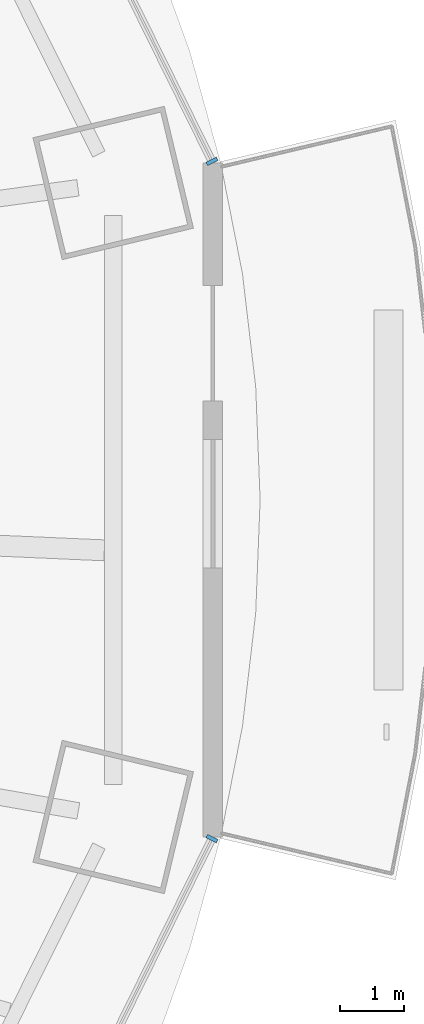
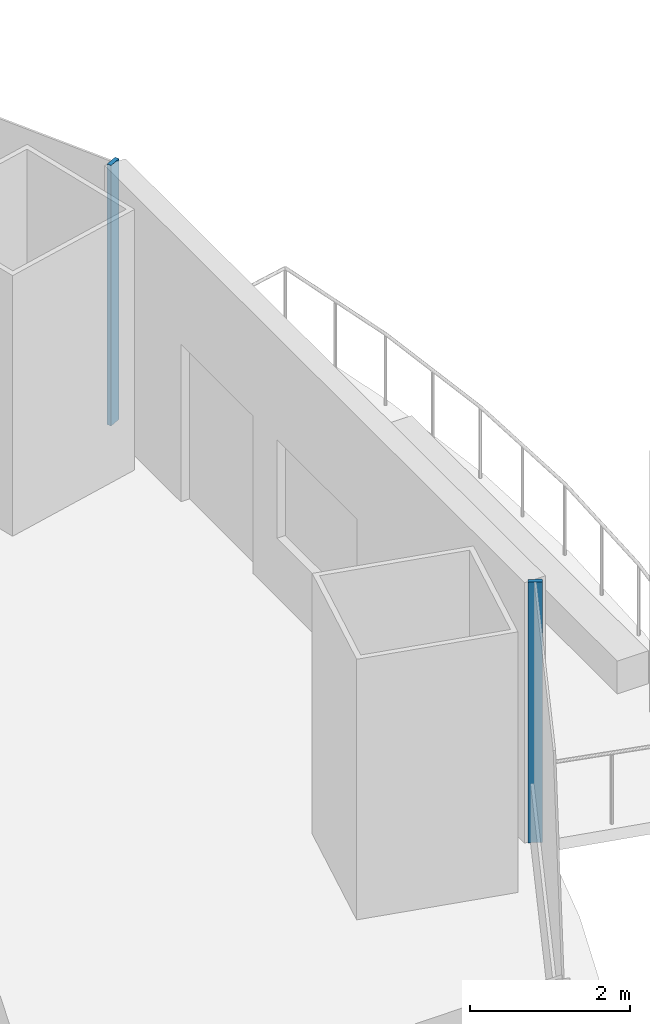
# One storey, part 9 of 20: 2 members, 2 elements without a shape of their own.
"""IFC4 building model written with IfcOpenShell, lengths in metres."""

from ifc_helpers import new_model, si_unit, direction, frame, origin, origin_2d, place, context, subcontext, project, spatial, rectangle, extrude, material, material_profile, profile_set, type_object, element, aggregate, save


model = new_model("IFC4")

# Units and contexts
model_context = context("Model", 3, precision=1e-05, world=origin(), true_north=direction((0.0, 1.0)))
body_context = subcontext(model_context, "Body", "Model", "MODEL_VIEW")
ifc_project = project(units=[si_unit("LENGTHUNIT", "METRE"), si_unit("AREAUNIT", "SQUARE_METRE"), si_unit("VOLUMEUNIT", "CUBIC_METRE"), si_unit("PLANEANGLEUNIT", "RADIAN"), si_unit("MASSUNIT", "GRAM", prefix="KILO")], contexts=[model_context])

# Site, building, storey
site_placement = place(None, origin())
site = spatial("IfcSite", under=ifc_project, at=site_placement, CompositionType="ELEMENT")
building_placement = place(site_placement, origin())
building = spatial("IfcBuilding", under=site, at=building_placement, Name="Marenthal Gate Tower", CompositionType="ELEMENT")
storey_placement = place(building_placement, frame((0.0, 0.0, 194.25)))
storey = spatial("IfcBuildingStorey", under=building, at=storey_placement, Name="L42", CompositionType="ELEMENT", Elevation=194.25)

# Curtain wall, member
ifc_material_1 = material(Name="Aluminium and glass", Category="aluminium")
curtain_wall_type = type_object("IfcCurtainWallType", Name="Curtain wall typical mid", PredefinedType="NOTDEFINED", material=ifc_material_1)
curtain_wall_1_placement = place(storey_placement, origin())
curtain_wall_1 = element("IfcCurtainWall", 1, at=curtain_wall_1_placement, inside=storey, type_object=curtain_wall_type, Name="Curtain wall L42 bay 1", PredefinedType="NOTDEFINED")
ifc_material_2 = material(Name="Aluminium", Category="aluminium")
ifc_material_profile = material_profile(ifc_material_2, rectangle(XDim=0.179931640625, YDim=0.06005859375, at=origin_2d()), Name="60x180 aluminium mullion")
ifc_profile_set = profile_set([ifc_material_profile], Name="Aluminium")
member_type = type_object("IfcMemberType", Name="Mullion 60x180 typical mid", PredefinedType="MULLION", material=ifc_profile_set)
member_1_placement = place(storey_placement, frame((33.1865234375, 4.667236328125, 0.0), z_axis=(0.0, 0.0, 1.0), x_axis=(-0.896680826174, -0.442677643406, 0.0)))
member_1 = element("IfcMember", 2, at=member_1_placement, type_object=member_type, Name="Mullion L42 bay 1.1", PredefinedType="MULLION", context=body_context, shape_type="SweptSolid", body=[
    extrude(rectangle(XDim=0.179931640625, YDim=0.06005859375, at=origin_2d()), origin(), (0.0, 0.0, 1.0), 3.969970703125),
])
aggregate(curtain_wall_1, [member_1])

curtain_wall_2_placement = place(storey_placement, origin())
curtain_wall_2 = element("IfcCurtainWall", 3, at=curtain_wall_2_placement, inside=storey, type_object=curtain_wall_type, Name="Curtain wall L42 bay 15", PredefinedType="NOTDEFINED")
member_2_placement = place(storey_placement, frame((33.1865234375, -5.8671875, 0.0), z_axis=(0.0, 0.0, 1.0), x_axis=(-0.896680826174, 0.442677643406, 0.0)))
member_2 = element("IfcMember", 4, at=member_2_placement, type_object=member_type, Name="Mullion L42 bay 15.3", PredefinedType="MULLION", context=body_context, shape_type="SweptSolid", body=[
    extrude(rectangle(XDim=0.179931640625, YDim=0.06005859375, at=origin_2d()), origin(), (0.0, 0.0, 1.0), 3.969970703125),
])
aggregate(curtain_wall_2, [member_2])

save(model, "model.ifc")
